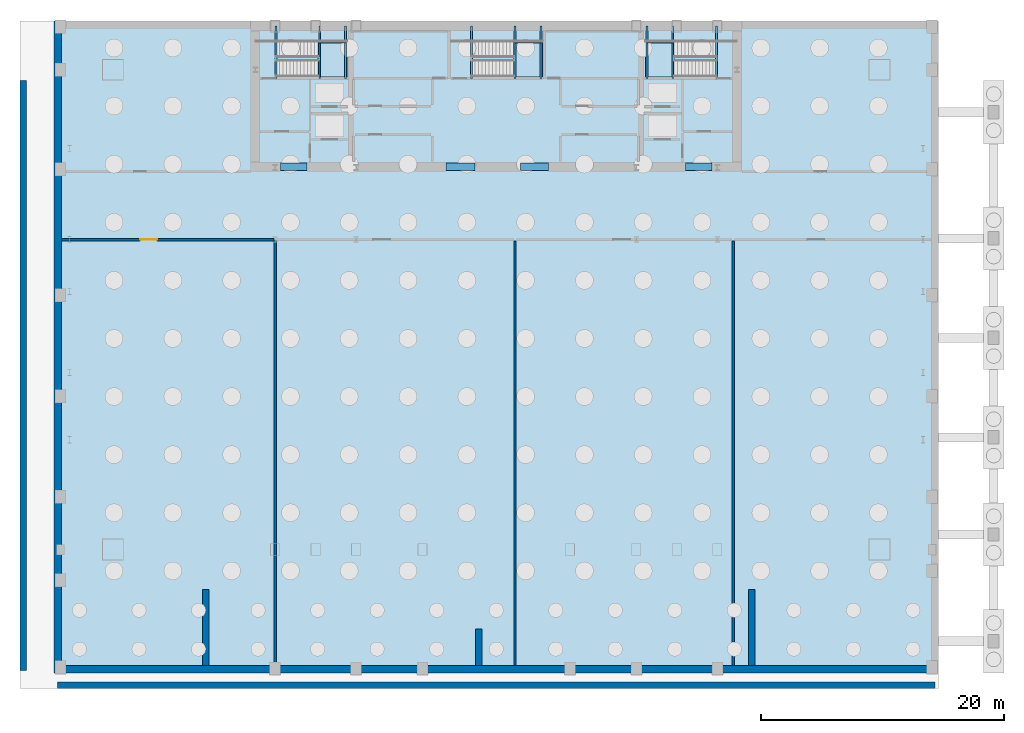
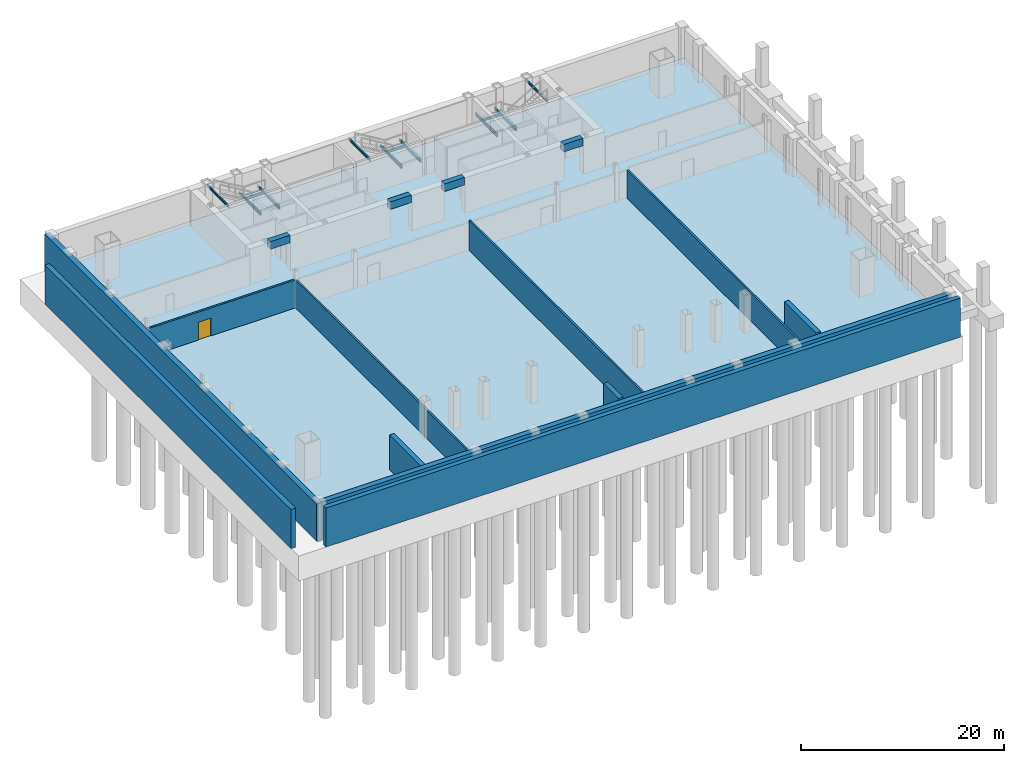
# One storey, part 7 of 11: 16 beams, 11 walls, 4 slabs, 1 door, 1 opening, 3 elements without a shape of their own.
"""IFC4 building model written with IfcOpenShell, lengths in metres."""

from ifc_helpers import new_model, si_unit, direction, frame, frame_2d, origin, origin_2d, place, context, subcontext, project, spatial, polyline, rectangle, i_section, outline, extrude, material, layer, layer_set, material_profile, profile_set, type_object, element, fill, aggregate, save


model = new_model("IFC4")

# Units and contexts
model_context = context("Model", 3, precision=1e-05, world=origin(), true_north=direction((0.0, 1.0)))
body_context = subcontext(model_context, "Body", "Model", "MODEL_VIEW")
ifc_project = project(units=[si_unit("LENGTHUNIT", "METRE"), si_unit("AREAUNIT", "SQUARE_METRE"), si_unit("VOLUMEUNIT", "CUBIC_METRE"), si_unit("PLANEANGLEUNIT", "RADIAN"), si_unit("MASSUNIT", "GRAM", prefix="KILO")], contexts=[model_context])

# Site, building, storey
site_placement = place(None, origin())
site = spatial("IfcSite", under=ifc_project, at=site_placement, CompositionType="ELEMENT")
building_placement = place(site_placement, origin())
building = spatial("IfcBuilding", under=site, at=building_placement, Name="Khoronbel Lancet Exchange", CompositionType="ELEMENT")
storey_placement = place(building_placement, frame((0.0, 0.0, -9.0)))
storey = spatial("IfcBuildingStorey", under=building, at=storey_placement, Name="B2", CompositionType="ELEMENT", Elevation=-9.0)

# Beams
ifc_material_1 = material(Name="Steel S355", Category="steel")
ifc_material_profile_1 = material_profile(ifc_material_1, i_section(OverallWidth=0.14990234375, OverallDepth=0.300048828125, WebThickness=0.007080078125, FlangeThickness=0.0107421875, at=origin_2d()), Name="IPE 300")
ifc_profile_set_1 = profile_set([ifc_material_profile_1], Name="Steel S355")
beam_type_1 = type_object("IfcBeamType", Name="BM-BJ8", PredefinedType="JOIST", material=ifc_profile_set_1)
for number, where, z_axis, x_axis, name in (
    (1, (21.89990234375, 48.97998046875, 1.89990234375), (0.0, 1.0, 0.0), (-1.0, 0.0, 0.0), "Level B2 stair ST1 landing bearer beam 1"),
    (2, (24.030029296875, 48.97998046875, 1.89990234375), (0.0, 1.0, 0.0), (-1.0, 0.0, 0.0), "Level B2 stair ST1 rear landing bearer beam 1"),
):
    element("IfcBeam", number, at=place(storey_placement, frame(where, z_axis=z_axis, x_axis=x_axis)), inside=storey, type_object=beam_type_1, Name=name, PredefinedType="JOIST", context=body_context, shape_type="SweptSolid", body=[
        extrude(i_section(OverallWidth=0.14990234375, OverallDepth=0.300048828125, WebThickness=0.007080078125, FlangeThickness=0.0107421875, at=origin_2d()), origin(), (0.0, 0.0, 1.0), 4.320068359375),
    ])
beam_1_placement = place(storey_placement, frame((21.89990234375, 51.97998046875, 1.89990234375), z_axis=(1.0, 0.0, 0.0), x_axis=(0.0, 1.0, 0.0)))
element("IfcBeam", 3, at=beam_1_placement, inside=storey, type_object=beam_type_1, Name="Level B2 stair ST1 landing cross trimmer beam 1", PredefinedType="JOIST", context=body_context, shape_type="SweptSolid", body=[
    extrude(i_section(OverallWidth=0.14990234375, OverallDepth=0.300048828125, WebThickness=0.007080078125, FlangeThickness=0.0107421875, at=origin_2d()), origin(), (0.0, 0.0, 1.0), 2.130126953125),
])
for number, where, z_axis, x_axis, name in (
    (4, (18.300048828125, 48.97998046875, 4.0), (0.0, 1.0, 0.0), (-1.0, 0.0, 0.0), "Level B2 stair ST1 upper-flight arrival trimmer beam"),
    (5, (51.0, 48.97998046875, 1.89990234375), (0.0, 1.0, 0.0), (-1.0, 0.0, 0.0), "Level B2 stair ST2 landing bearer beam 1"),
    (6, (48.8701171875, 48.97998046875, 1.89990234375), (0.0, 1.0, 0.0), (-1.0, 0.0, 0.0), "Level B2 stair ST2 rear landing bearer beam 1"),
):
    element("IfcBeam", number, at=place(storey_placement, frame(where, z_axis=z_axis, x_axis=x_axis)), inside=storey, type_object=beam_type_1, Name=name, PredefinedType="JOIST", context=body_context, shape_type="SweptSolid", body=[
        extrude(i_section(OverallWidth=0.14990234375, OverallDepth=0.300048828125, WebThickness=0.007080078125, FlangeThickness=0.0107421875, at=origin_2d()), origin(), (0.0, 0.0, 1.0), 4.320068359375),
    ])
beam_2_placement = place(storey_placement, frame((48.8701171875, 51.97998046875, 1.89990234375), z_axis=(1.0, 0.0, 0.0), x_axis=(0.0, 1.0, 0.0)))
element("IfcBeam", 7, at=beam_2_placement, inside=storey, type_object=beam_type_1, Name="Level B2 stair ST2 landing cross trimmer beam 1", PredefinedType="JOIST", context=body_context, shape_type="SweptSolid", body=[
    extrude(i_section(OverallWidth=0.14990234375, OverallDepth=0.300048828125, WebThickness=0.007080078125, FlangeThickness=0.0107421875, at=origin_2d()), origin(), (0.0, 0.0, 1.0), 2.1298828125),
])
for number, where, z_axis, x_axis, name in (
    (8, (54.60009765625, 48.97998046875, 4.0), (0.0, 1.0, 0.0), (-1.0, 0.0, 0.0), "Level B2 stair ST2 upper-flight arrival trimmer beam"),
    (9, (38.0, 48.97998046875, 1.89990234375), (0.0, 1.0, 0.0), (-1.0, 0.0, 0.0), "Level B2 stair ST3 landing bearer beam 1"),
    (10, (40.1298828125, 48.97998046875, 1.89990234375), (0.0, 1.0, 0.0), (-1.0, 0.0, 0.0), "Level B2 stair ST3 rear landing bearer beam 1"),
):
    element("IfcBeam", number, at=place(storey_placement, frame(where, z_axis=z_axis, x_axis=x_axis)), inside=storey, type_object=beam_type_1, Name=name, PredefinedType="JOIST", context=body_context, shape_type="SweptSolid", body=[
        extrude(i_section(OverallWidth=0.14990234375, OverallDepth=0.300048828125, WebThickness=0.007080078125, FlangeThickness=0.0107421875, at=origin_2d()), origin(), (0.0, 0.0, 1.0), 4.320068359375),
    ])
beam_3_placement = place(storey_placement, frame((38.0, 51.97998046875, 1.89990234375), z_axis=(1.0, 0.0, 0.0), x_axis=(0.0, 1.0, 0.0)))
element("IfcBeam", 11, at=beam_3_placement, inside=storey, type_object=beam_type_1, Name="Level B2 stair ST3 landing cross trimmer beam 1", PredefinedType="JOIST", context=body_context, shape_type="SweptSolid", body=[
    extrude(i_section(OverallWidth=0.14990234375, OverallDepth=0.300048828125, WebThickness=0.007080078125, FlangeThickness=0.0107421875, at=origin_2d()), origin(), (0.0, 0.0, 1.0), 2.1298828125),
])
beam_4_placement = place(storey_placement, frame((34.39990234375, 48.97998046875, 4.0), z_axis=(0.0, 1.0, 0.0), x_axis=(-1.0, 0.0, 0.0)))
element("IfcBeam", 12, at=beam_4_placement, inside=storey, type_object=beam_type_1, Name="Level B2 stair ST3 upper-flight arrival trimmer beam", PredefinedType="JOIST", context=body_context, shape_type="SweptSolid", body=[
    extrude(i_section(OverallWidth=0.14990234375, OverallDepth=0.300048828125, WebThickness=0.007080078125, FlangeThickness=0.0107421875, at=origin_2d()), origin(), (0.0, 0.0, 1.0), 4.320068359375),
])
ifc_material_2 = material(Name="Concrete C80/95", Category="concrete")
ifc_material_profile_2 = material_profile(ifc_material_2, rectangle(XDim=0.60009765625, YDim=0.89990234375, at=origin_2d()), Name="RC 600x900")
ifc_profile_set_2 = profile_set([ifc_material_profile_2], Name="Concrete C80/95")
beam_type_2 = type_object("IfcBeamType", Name="BM-BL1", PredefinedType="LINTEL", material=ifc_profile_set_2)
beam_5_placement = place(storey_placement, frame((18.64990234375, 41.699951171875, 3.830078125), z_axis=(1.0, 0.0, 0.0), x_axis=(0.0, 1.0, 0.0)))
element("IfcBeam", 13, at=beam_5_placement, inside=storey, type_object=beam_type_2, Name="Level B2 rear core coupling lintel L1", PredefinedType="LINTEL", context=body_context, shape_type="SweptSolid", body=[
    extrude(rectangle(XDim=0.60009765625, YDim=0.89990234375, at=origin_2d()), origin(), (0.0, 0.0, 1.0), 2.2001953125),
])
beam_6_placement = place(storey_placement, frame((32.300048828125, 41.699951171875, 3.830078125), z_axis=(1.0, 0.0, 0.0), x_axis=(0.0, 1.0, 0.0)))
element("IfcBeam", 14, at=beam_6_placement, inside=storey, type_object=beam_type_2, Name="Level B2 rear core coupling lintel L2", PredefinedType="LINTEL", context=body_context, shape_type="SweptSolid", body=[
    extrude(rectangle(XDim=0.60009765625, YDim=0.89990234375, at=origin_2d()), origin(), (0.0, 0.0, 1.0), 2.39990234375),
])
beam_7_placement = place(storey_placement, frame((38.449951171875, 41.699951171875, 3.830078125), z_axis=(1.0, 0.0, 0.0), x_axis=(0.0, 1.0, 0.0)))
element("IfcBeam", 15, at=beam_7_placement, inside=storey, type_object=beam_type_2, Name="Level B2 rear core coupling lintel L3", PredefinedType="LINTEL", context=body_context, shape_type="SweptSolid", body=[
    extrude(rectangle(XDim=0.60009765625, YDim=0.89990234375, at=origin_2d()), origin(), (0.0, 0.0, 1.0), 2.300048828125),
])
beam_8_placement = place(storey_placement, frame((52.050048828125, 41.699951171875, 3.830078125), z_axis=(1.0, 0.0, 0.0), x_axis=(0.0, 1.0, 0.0)))
element("IfcBeam", 16, at=beam_8_placement, inside=storey, type_object=beam_type_2, Name="Level B2 rear core coupling lintel L4", PredefinedType="LINTEL", context=body_context, shape_type="SweptSolid", body=[
    extrude(rectangle(XDim=0.60009765625, YDim=0.89990234375, at=origin_2d()), origin(), (0.0, 0.0, 1.0), 2.199951171875),
])

# Slab
ifc_material_3 = material(Name="Concrete C40/50", Category="concrete")
ifc_layer_1 = layer(ifc_material_3, 0.199951171875, Name="Concrete C40/50")
ifc_layer_set_1 = layer_set([ifc_layer_1], Name="Concrete C40/50")
slab_type_1 = type_object("IfcSlabType", Name="SL-BASE200", PredefinedType="BASESLAB", material=ifc_layer_set_1)
slab_1_placement = place(storey_placement, frame((0.0, 0.0, -0.199951171875)))
element("IfcSlab", 17, at=slab_1_placement, inside=storey, type_object=slab_type_1, Name="Basement B2 reinforced concrete base slab", PredefinedType="BASESLAB", context=body_context, shape_type="SweptSolid", body=[
    extrude(outline(polyline([(0.0, 0.0), (72.89990234375, 0.0), (72.89990234375, 53.699951171875), (0.0, 53.699951171875), (0.0, 0.0)])), origin(), (0.0, 0.0, 1.0), 0.199951171875),
])

# Stair, slab
stair_type = type_object("IfcStairType", Name="STR-CORE150", PredefinedType="HALF_TURN_STAIR", material=ifc_material_3)
stair_1_placement = place(storey_placement, origin())
stair_1 = element("IfcStair", 18, at=stair_1_placement, inside=storey, type_object=stair_type, Name="B2 Protected Exit Stair ST1", PredefinedType="HALF_TURN_STAIR")
ifc_layer_2 = layer(ifc_material_3, 0.199951171875, Name="Concrete C40/50")
ifc_layer_set_2 = layer_set([ifc_layer_2], Name="Concrete C40/50")
slab_type_2 = type_object("IfcSlabType", Name="SL-LND180", PredefinedType="LANDING", material=ifc_layer_set_2)
slab_2_placement = place(storey_placement, frame((0.0, 0.0, 2.050048828125)))
slab_2 = element("IfcSlab", 19, at=slab_2_placement, type_object=slab_type_2, Name="ST1 landing 1", PredefinedType="LANDING", context=body_context, shape_type="SweptSolid", body=[
    extrude(outline(polyline([(21.780029296875, 49.1201171875), (24.14990234375, 49.1201171875), (24.14990234375, 52.10009765625), (21.780029296875, 52.10009765625), (21.780029296875, 49.1201171875)])), origin(), (0.0, 0.0, 1.0), 0.199951171875),
])
aggregate(stair_1, [slab_2])

stair_2_placement = place(storey_placement, origin())
stair_2 = element("IfcStair", 20, at=stair_2_placement, inside=storey, type_object=stair_type, Name="B2 Protected Exit Stair ST2", PredefinedType="HALF_TURN_STAIR")
slab_3_placement = place(storey_placement, frame((0.0, 0.0, 2.050048828125)))
slab_3 = element("IfcSlab", 21, at=slab_3_placement, type_object=slab_type_2, Name="ST2 landing 1", PredefinedType="LANDING", context=body_context, shape_type="SweptSolid", body=[
    extrude(outline(polyline([(51.1201171875, 52.10009765625), (48.75, 52.10009765625), (48.75, 49.1201171875), (51.1201171875, 49.1201171875), (51.1201171875, 52.10009765625)])), origin(), (0.0, 0.0, 1.0), 0.199951171875),
])
aggregate(stair_2, [slab_3])

stair_3_placement = place(storey_placement, origin())
stair_3 = element("IfcStair", 22, at=stair_3_placement, inside=storey, type_object=stair_type, Name="B2 Protected Exit Stair ST3", PredefinedType="HALF_TURN_STAIR")
slab_4_placement = place(storey_placement, frame((0.0, 0.0, 2.050048828125)))
slab_4 = element("IfcSlab", 23, at=slab_4_placement, type_object=slab_type_2, Name="ST3 landing 1", PredefinedType="LANDING", context=body_context, shape_type="SweptSolid", body=[
    extrude(outline(polyline([(37.8798828125, 49.1201171875), (40.25, 49.1201171875), (40.25, 52.10009765625), (37.8798828125, 52.10009765625), (37.8798828125, 49.1201171875)])), origin(), (0.0, 0.0, 1.0), 0.199951171875),
])
aggregate(stair_3, [slab_4])

# Walls
ifc_material_4 = material(Name="Autoclaved Aerated Concrete Blockwork 200 mm", Category="masonry")
ifc_layer_3 = layer(ifc_material_4, 0.199951171875, Name="Autoclaved Aerated Concrete Blockwork 200 mm")
ifc_layer_set_3 = layer_set([ifc_layer_3], Name="Autoclaved Aerated Concrete Blockwork 200 mm")
wall_type_1 = type_object("IfcWallType", Name="WL-PRT200", PredefinedType="PARTITIONING", material=ifc_layer_set_3)
wall_1_placement = place(storey_placement, frame((18.22509765625, 0.60009765625, 0.0), z_axis=(0.0, 0.0, 1.0), x_axis=(0.0, 1.0, 0.0)))
element("IfcWall", 24, at=wall_1_placement, inside=storey, type_object=wall_type_1, Name="Level B2 interior partition PW-B2-V1", PredefinedType="PARTITIONING", context=body_context, shape_type="SweptSolid", body=[
    extrude(rectangle(XDim=34.98486328125, YDim=0.199951171875, at=frame_2d((17.492431640625, 0.0))), origin(), (0.0, 0.0, 1.0), 3.3701171875),
])
wall_2_placement = place(storey_placement, frame((38.0, 0.60009765625, 0.0), z_axis=(0.0, 0.0, 1.0), x_axis=(0.0, 1.0, 0.0)))
element("IfcWall", 25, at=wall_2_placement, inside=storey, type_object=wall_type_1, Name="Level B2 interior partition PW-B2-V2", PredefinedType="PARTITIONING", context=body_context, shape_type="SweptSolid", body=[
    extrude(rectangle(XDim=34.98486328125, YDim=0.199951171875, at=frame_2d((17.492431640625, 0.0))), origin(), (0.0, 0.0, 1.0), 3.6201171875),
])
wall_3_placement = place(storey_placement, frame((56.0, 0.60009765625, 0.0), z_axis=(0.0, 0.0, 1.0), x_axis=(0.0, 1.0, 0.0)))
element("IfcWall", 26, at=wall_3_placement, inside=storey, type_object=wall_type_1, Name="Level B2 interior partition PW-B2-V3", PredefinedType="PARTITIONING", context=body_context, shape_type="SweptSolid", body=[
    extrude(rectangle(XDim=34.98486328125, YDim=0.199951171875, at=frame_2d((17.492431640625, 0.0))), origin(), (0.0, 0.0, 1.0), 3.3701171875),
])

# Wall, opening, door
ifc_material_5 = material(Name="Autoclaved Aerated Concrete Blockwork 220 mm", Category="masonry")
ifc_layer_4 = layer(ifc_material_5, 0.219970703125, Name="Autoclaved Aerated Concrete Blockwork 220 mm")
ifc_layer_set_4 = layer_set([ifc_layer_4], Name="Autoclaved Aerated Concrete Blockwork 220 mm")
wall_type_2 = type_object("IfcWallType", Name="WL-PRT220", PredefinedType="PARTITIONING", material=ifc_layer_set_4)
wall_4_placement = place(storey_placement, frame((0.60009765625, 35.699951171875, 0.0), z_axis=(0.0, 0.0, 1.0), x_axis=(1.0, 0.0, 0.0)))
wall_4 = element("IfcWall", 27, at=wall_4_placement, inside=storey, type_object=wall_type_2, Name="Level B2 interior partition PW-B2-S1", PredefinedType="PARTITIONING", context=body_context, shape_type="SweptSolid", body=[
    extrude(rectangle(XDim=17.52001953125, YDim=0.219970703125, at=frame_2d((8.760009765625, 0.0))), origin(), (0.0, 0.0, 1.0), 3.3701171875),
])
opening_placement = place(wall_4_placement, frame((6.5, 0.0, 0.0)))
opening = element("IfcOpeningElement", 28, at=opening_placement, cuts=wall_4, Name="Opening D7", PredefinedType="OPENING", context=body_context, shape_type="SweptSolid", body=[
    extrude(rectangle(XDim=1.39990234375, YDim=2.14990234375, at=frame_2d((0.699951171875, 1.074951171875))), frame((0.0, 0.1201171875, 0.0), z_axis=(0.0, -1.0, 0.0), x_axis=(1.0, 0.0, 0.0)), (0.0, 0.0, 1.0), 0.239990234375),
])
ifc_material_6 = material(Name="Fire-Rated Heavy Plant Double Door Assembly", Category="steel")
door_type = type_object("IfcDoorType", Name="DR-D7", OperationType="NOTDEFINED", PredefinedType="DOOR", material=ifc_material_6)
door_placement = place(opening_placement, origin())
door = element("IfcDoor", 29, at=door_placement, inside=storey, type_object=door_type, Name="Sovereign bullion vault lobby door B2-1", OperationType="DOUBLE_DOOR_SINGLE_SWING", OverallHeight=2.14990234375, OverallWidth=1.39990234375, PredefinedType="DOOR", context=body_context, shape_type="SweptSolid", body=[
    extrude(rectangle(XDim=1.39990234375, YDim=2.14990234375, at=frame_2d((0.699951171875, 1.074951171875))), frame((0.0, 0.02490234375, 0.0), z_axis=(0.0, -1.0, 0.0), x_axis=(1.0, 0.0, 0.0)), (0.0, 0.0, 1.0), 0.050048828125),
])
fill(opening, door)

# Walls
ifc_material_7 = material(Name="Concrete C60/75", Category="concrete")
ifc_layer_5 = layer(ifc_material_7, 0.52001953125, Name="Concrete C60/75")
ifc_layer_set_5 = layer_set([ifc_layer_5], Name="Concrete C60/75")
wall_type_3 = type_object("IfcWallType", Name="WL-RET500", PredefinedType="SOLIDWALL", material=ifc_layer_set_5)
wall_5_placement = place(storey_placement, frame((12.5, 0.60009765625, -0.199951171875), z_axis=(0.0, 0.0, 1.0), x_axis=(0.0, 1.0, 0.0)))
element("IfcWall", 30, at=wall_5_placement, inside=storey, type_object=wall_type_3, Name="Substructure vehicle ramp toe bearing wall", PredefinedType="SOLIDWALL", context=body_context, shape_type="SweptSolid", body=[
    extrude(rectangle(XDim=6.25, YDim=0.52001953125, at=frame_2d((3.125, 0.0))), origin(), (0.0, 0.0, 1.0), 4.39501953125),
])
wall_6_placement = place(storey_placement, frame((35.0, 0.60009765625, -0.199951171875), z_axis=(0.0, 0.0, 1.0), x_axis=(0.0, 1.0, 0.0)))
element("IfcWall", 31, at=wall_6_placement, inside=storey, type_object=wall_type_3, Name="Substructure vehicle ramp lower mid-span bearing pier", PredefinedType="SOLIDWALL", context=body_context, shape_type="SweptSolid", body=[
    extrude(rectangle(XDim=3.0, YDim=0.52001953125, at=frame_2d((1.5, 0.0))), origin(), (0.0, 0.0, 1.0), 4.699951171875),
])
wall_7_placement = place(storey_placement, frame((57.5, 0.60009765625, -0.199951171875), z_axis=(0.0, 0.0, 1.0), x_axis=(0.0, 1.0, 0.0)))
element("IfcWall", 32, at=wall_7_placement, inside=storey, type_object=wall_type_3, Name="Substructure vehicle ramp lower head bearing wall", PredefinedType="SOLIDWALL", context=body_context, shape_type="SweptSolid", body=[
    extrude(rectangle(XDim=6.25, YDim=0.52001953125, at=frame_2d((3.125, 0.0))), origin(), (0.0, 0.0, 1.0), 4.699951171875),
])
wall_8_placement = place(storey_placement, frame((0.300048828125, -1.0400390625, -0.199951171875), z_axis=(0.0, 0.0, 1.0), x_axis=(1.0, 0.0, 0.0)))
element("IfcWall", 33, at=wall_8_placement, inside=storey, type_object=wall_type_3, Name="Substructure south plaza apron retaining wall B2", PredefinedType="SOLIDWALL", context=body_context, shape_type="SweptSolid", body=[
    extrude(rectangle(XDim=72.300048828125, YDim=0.52001953125, at=frame_2d((36.14990234375, 0.0))), origin(), (0.0, 0.0, 1.0), 4.699951171875),
])
wall_9_placement = place(storey_placement, frame((-2.5400390625, 0.199951171875, -0.199951171875), z_axis=(0.0, 0.0, 1.0), x_axis=(0.0, 1.0, 0.0)))
element("IfcWall", 34, at=wall_9_placement, inside=storey, type_object=wall_type_3, Name="Substructure west colonnade apron retaining wall B2", PredefinedType="SOLIDWALL", context=body_context, shape_type="SweptSolid", body=[
    extrude(rectangle(XDim=48.60009765625, YDim=0.52001953125, at=frame_2d((24.300048828125, 0.0))), origin(), (0.0, 0.0, 1.0), 4.699951171875),
])
ifc_layer_6 = layer(ifc_material_7, 0.60009765625, Name="Concrete C60/75")
ifc_layer_set_6 = layer_set([ifc_layer_6], Name="Concrete C60/75")
wall_type_4 = type_object("IfcWallType", Name="WL-RET600", PredefinedType="SOLIDWALL", material=ifc_layer_set_6)
wall_10_placement = place(storey_placement, frame((72.300048828125, 0.300048828125, -0.199951171875), z_axis=(0.0, 0.0, 1.0), x_axis=(-1.0, 0.0, 0.0)))
element("IfcWall", 35, at=wall_10_placement, inside=storey, type_object=wall_type_4, Name="Basement B2 reinforced concrete retaining wall S", PredefinedType="SOLIDWALL", context=body_context, shape_type="SweptSolid", body=[
    extrude(rectangle(XDim=71.699951171875, YDim=0.60009765625, at=frame_2d((35.85009765625, 0.0))), origin(), (0.0, 0.0, 1.0), 4.47998046875),
])
wall_11_placement = place(storey_placement, frame((0.300048828125, 0.0, -0.199951171875), z_axis=(0.0, 0.0, 1.0), x_axis=(0.0, 1.0, 0.0)))
element("IfcWall", 36, at=wall_11_placement, inside=storey, type_object=wall_type_4, Name="Basement B2 reinforced concrete retaining wall W", PredefinedType="SOLIDWALL", context=body_context, shape_type="SweptSolid", body=[
    extrude(rectangle(XDim=53.699951171875, YDim=0.60009765625, at=frame_2d((26.85009765625, 0.0))), origin(), (0.0, 0.0, 1.0), 4.47998046875),
])

save(model, "model.ifc")
